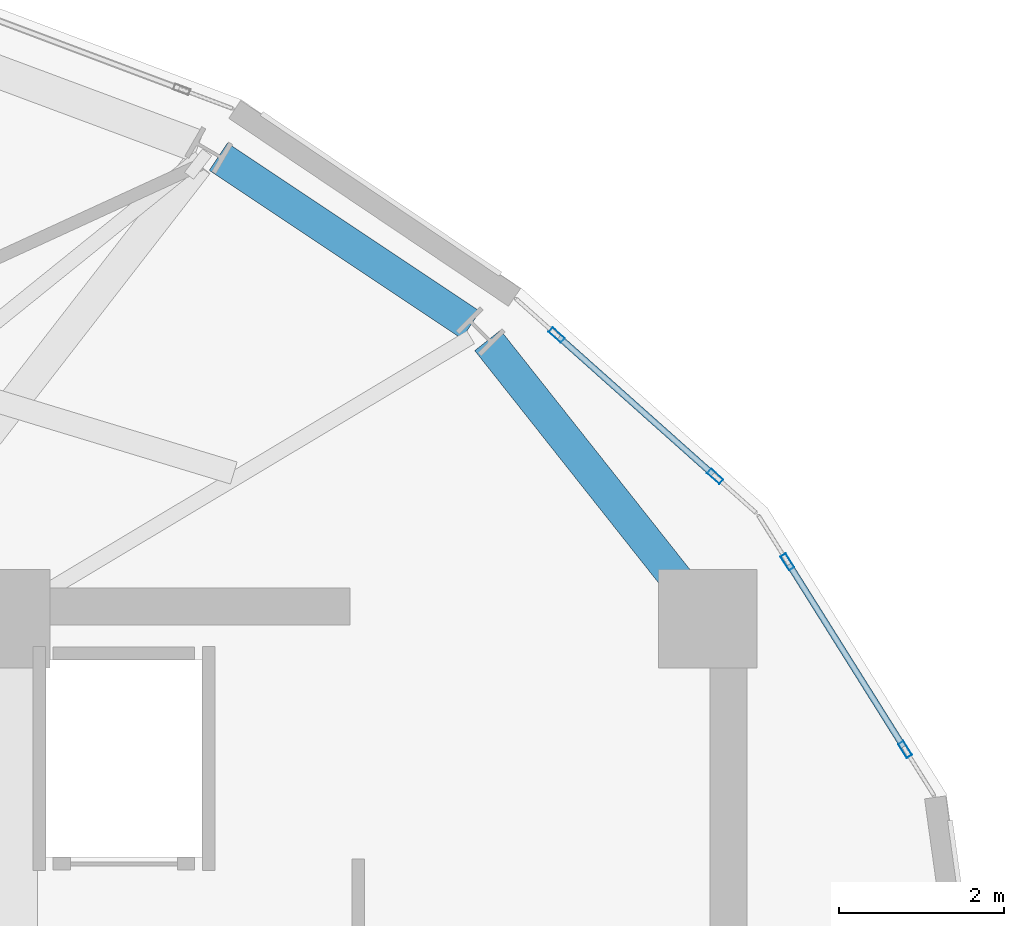
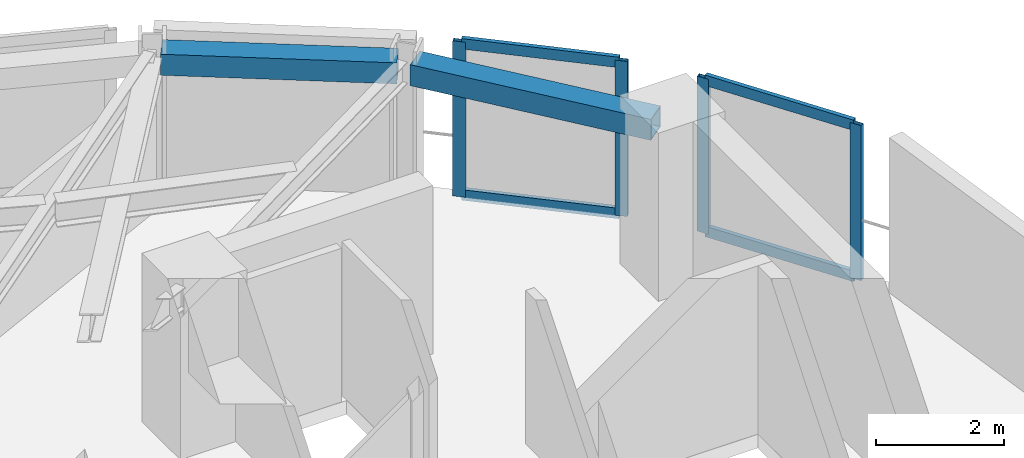
# One storey, part 13 of 17: 8 members, 2 beams, 2 elements without a shape of their own.
"""IFC4 building model written with IfcOpenShell, lengths in metres."""

from ifc_helpers import new_model, si_unit, direction, frame, origin, origin_2d, place, context, subcontext, project, spatial, hollow_rectangle, extrude, material, layer, layer_set, material_profile, profile_set, type_object, element, aggregate, save


model = new_model("IFC4")

# Units and contexts
model_context = context("Model", 3, precision=1e-05, world=origin(), true_north=direction((0.0, 1.0)))
body_context = subcontext(model_context, "Body", "Model", "MODEL_VIEW")
ifc_project = project(units=[si_unit("LENGTHUNIT", "METRE"), si_unit("AREAUNIT", "SQUARE_METRE"), si_unit("VOLUMEUNIT", "CUBIC_METRE"), si_unit("PLANEANGLEUNIT", "RADIAN"), si_unit("MASSUNIT", "GRAM", prefix="KILO")], contexts=[model_context])

# Site, building, storey
site_placement = place(None, origin())
site = spatial("IfcSite", under=ifc_project, at=site_placement, CompositionType="ELEMENT")
building_placement = place(site_placement, origin())
building = spatial("IfcBuilding", under=site, at=building_placement, Name="Solvane Sanctuary Tower", CompositionType="ELEMENT")
storey_placement = place(building_placement, frame((0.0, 0.0, 276.39990234375)))
storey = spatial("IfcBuildingStorey", under=building, at=storey_placement, Name="L84", CompositionType="ELEMENT", Elevation=276.39990234375)

# Beams
ifc_material_1 = material(Name="Steel ASTM A913 Grade 65", Category="steel")
ifc_material_profile_1 = material_profile(ifc_material_1, hollow_rectangle(XDim=0.39990234375, YDim=0.39990234375, WallThickness=0.01611328125, at=origin_2d()), Name="HSS400X400X16")
ifc_profile_set_1 = profile_set([ifc_material_profile_1], Name="Steel ASTM A913 Grade 65")
beam_type = type_object("IfcBeamType", Name="Beam B-CROWN-CAP HSS400X400X16", PredefinedType="T_BEAM", material=ifc_profile_set_1)
beam_1_placement = place(storey_placement, frame((42.74853515625, 35.817138671875, 2.748046875), z_axis=(0.832121550366, -0.554593297306, 0.0), x_axis=(0.554593297306, 0.832121550366, 0.0)))
element("IfcBeam", 1, at=beam_1_placement, inside=storey, type_object=beam_type, Name="L84 Perimeter Spandrel Beam TC02-TC01", PredefinedType="T_BEAM", context=body_context, shape_type="SweptSolid", body=[
    extrude(hollow_rectangle(XDim=0.39990234375, YDim=0.39990234375, WallThickness=0.01611328125, at=origin_2d()), origin(), (0.0, 0.0, 1.0), 3.689453125),
])
beam_2_placement = place(storey_placement, frame((46.02197265625, 33.58349609375, 2.748046875), z_axis=(0.620591357269, -0.784134151331, 0.0), x_axis=(0.784134151331, 0.620591357269, 0.0)))
element("IfcBeam", 2, at=beam_2_placement, inside=storey, type_object=beam_type, Name="L84 Perimeter Spandrel Beam TC01-CE3", PredefinedType="T_BEAM", context=body_context, shape_type="SweptSolid", body=[
    extrude(hollow_rectangle(XDim=0.39990234375, YDim=0.39990234375, WallThickness=0.01611328125, at=origin_2d()), origin(), (0.0, 0.0, 1.0), 4.03515625),
])

# Curtain wall, members
ifc_material_2 = material(Name="Anodised Aluminium 6063-T6", Category="aluminium")
ifc_layer = layer(ifc_material_2, 0.219970703125, Name="Anodised Aluminium 6063-T6")
ifc_layer_set = layer_set([ifc_layer], Name="Anodised Aluminium 6063-T6")
curtain_wall_type = type_object("IfcCurtainWallType", Name="Curtain Wall CW-CROWN", PredefinedType="NOTDEFINED", material=ifc_layer_set)
curtain_wall_1_placement = place(storey_placement, origin())
curtain_wall_1 = element("IfcCurtainWall", 3, at=curtain_wall_1_placement, inside=storey, type_object=curtain_wall_type, Name="L84 Crown Fritted Lantern Curtain Wall 01", PredefinedType="NOTDEFINED")
ifc_material_profile_2 = material_profile(ifc_material_2, hollow_rectangle(XDim=0.074951171875, YDim=0.199951171875, WallThickness=0.00390625, at=origin_2d()), Name="ALU200X75X4")
ifc_profile_set_2 = profile_set([ifc_material_profile_2], Name="Anodised Aluminium 6063-T6")
member_type_1 = type_object("IfcMemberType", Name="Member M-CW-MUL-1 ALU200X75X4", PredefinedType="MULLION", material=ifc_profile_set_2)
member_1_placement = place(storey_placement, frame((51.09814453125, 28.610107421875, 0.0), z_axis=(0.0, 0.0, 1.0), x_axis=(-0.847126400009, -0.531391439909, 0.0)))
member_1 = element("IfcMember", 4, at=member_1_placement, type_object=member_type_1, Name="CW-CROWN mullion 1", PredefinedType="MULLION", context=body_context, shape_type="SweptSolid", body=[
    extrude(hollow_rectangle(XDim=0.074951171875, YDim=0.199951171875, WallThickness=0.00390625, at=origin_2d()), origin(), (0.0, 0.0, 1.0), 2.9501953125),
])
member_2_placement = place(storey_placement, frame((49.667236328125, 30.89111328125, 0.0), z_axis=(0.0, 0.0, 1.0), x_axis=(-0.847126400009, -0.531391439909, 0.0)))
member_2 = element("IfcMember", 5, at=member_2_placement, type_object=member_type_1, Name="CW-CROWN mullion 2", PredefinedType="MULLION", context=body_context, shape_type="SweptSolid", body=[
    extrude(hollow_rectangle(XDim=0.074951171875, YDim=0.199951171875, WallThickness=0.00390625, at=origin_2d()), origin(), (0.0, 0.0, 1.0), 2.9501953125),
])

curtain_wall_2_placement = place(storey_placement, origin())
curtain_wall_2 = element("IfcCurtainWall", 6, at=curtain_wall_2_placement, inside=storey, type_object=curtain_wall_type, Name="L84 Crown Fritted Lantern Curtain Wall 02", PredefinedType="NOTDEFINED")
member_3_placement = place(storey_placement, frame((48.78857421875, 31.930908203125, 0.0), z_axis=(0.0, 0.0, 1.0), x_axis=(-0.665328117659, -0.746551067143, 0.0)))
member_3 = element("IfcMember", 7, at=member_3_placement, type_object=member_type_1, Name="CW-CROWN mullion 1", PredefinedType="MULLION", context=body_context, shape_type="SweptSolid", body=[
    extrude(hollow_rectangle(XDim=0.074951171875, YDim=0.199951171875, WallThickness=0.00390625, at=origin_2d()), origin(), (0.0, 0.0, 1.0), 2.9501953125),
])
member_4_placement = place(storey_placement, frame((46.861083984375, 33.648681640625, 0.0), z_axis=(0.0, 0.0, 1.0), x_axis=(-0.665328117659, -0.746551067143, 0.0)))
member_4 = element("IfcMember", 8, at=member_4_placement, type_object=member_type_1, Name="CW-CROWN mullion 2", PredefinedType="MULLION", context=body_context, shape_type="SweptSolid", body=[
    extrude(hollow_rectangle(XDim=0.074951171875, YDim=0.199951171875, WallThickness=0.00390625, at=origin_2d()), origin(), (0.0, 0.0, 1.0), 2.9501953125),
])

# Member
ifc_material_profile_3 = material_profile(ifc_material_2, hollow_rectangle(XDim=0.074951171875, YDim=0.199951171875, WallThickness=0.00390625, at=origin_2d()), Name="ALU200X75X4")
ifc_profile_set_3 = profile_set([ifc_material_profile_3], Name="Anodised Aluminium 6063-T6")
member_type_2 = type_object("IfcMemberType", Name="Member M-CW-TRN-2 ALU200X75X4", PredefinedType="USERDEFINED", material=ifc_profile_set_3)
member_5_placement = place(storey_placement, frame((51.078125, 28.641845703125, 0.03759765625), z_axis=(-0.531348035337, 0.847153625586, 0.0), x_axis=(-0.847153625586, -0.531348035337, 0.0)))
member_5 = element("IfcMember", 9, at=member_5_placement, type_object=member_type_2, Name="CW-CROWN transom 1.1", ObjectType="TRANSOM", PredefinedType="USERDEFINED", context=body_context, shape_type="SweptSolid", body=[
    extrude(hollow_rectangle(XDim=0.074951171875, YDim=0.199951171875, WallThickness=0.00390625, at=origin_2d()), origin(), (0.0, 0.0, 1.0), 2.61767578125),
])

member_6_placement = place(storey_placement, frame((51.078125, 28.641845703125, 2.91259765625), z_axis=(-0.531348035337, 0.847153625586, 0.0), x_axis=(-0.847153625586, -0.531348035337, 0.0)))
member_6 = element("IfcMember", 10, at=member_6_placement, type_object=member_type_2, Name="CW-CROWN transom 1.2", ObjectType="TRANSOM", PredefinedType="USERDEFINED", context=body_context, shape_type="SweptSolid", body=[
    extrude(hollow_rectangle(XDim=0.074951171875, YDim=0.199951171875, WallThickness=0.00390625, at=origin_2d()), origin(), (0.0, 0.0, 1.0), 2.61767578125),
])

aggregate(curtain_wall_1, [member_1, member_2, member_5, member_6])

member_7_placement = place(storey_placement, frame((48.760498046875, 31.955810546875, 0.03759765625), z_axis=(-0.746505910197, 0.665378783883, 0.0), x_axis=(-0.665378783883, -0.746505910197, 0.0)))
member_7 = element("IfcMember", 11, at=member_7_placement, type_object=member_type_2, Name="CW-CROWN transom 1.1", ObjectType="TRANSOM", PredefinedType="USERDEFINED", context=body_context, shape_type="SweptSolid", body=[
    extrude(hollow_rectangle(XDim=0.074951171875, YDim=0.199951171875, WallThickness=0.00390625, at=origin_2d()), origin(), (0.0, 0.0, 1.0), 2.5068359375),
])

member_8_placement = place(storey_placement, frame((48.760498046875, 31.955810546875, 2.91259765625), z_axis=(-0.746505910197, 0.665378783883, 0.0), x_axis=(-0.665378783883, -0.746505910197, 0.0)))
member_8 = element("IfcMember", 12, at=member_8_placement, type_object=member_type_2, Name="CW-CROWN transom 1.2", ObjectType="TRANSOM", PredefinedType="USERDEFINED", context=body_context, shape_type="SweptSolid", body=[
    extrude(hollow_rectangle(XDim=0.074951171875, YDim=0.199951171875, WallThickness=0.00390625, at=origin_2d()), origin(), (0.0, 0.0, 1.0), 2.5068359375),
])

aggregate(curtain_wall_2, [member_3, member_4, member_7, member_8])

save(model, "model.ifc")
